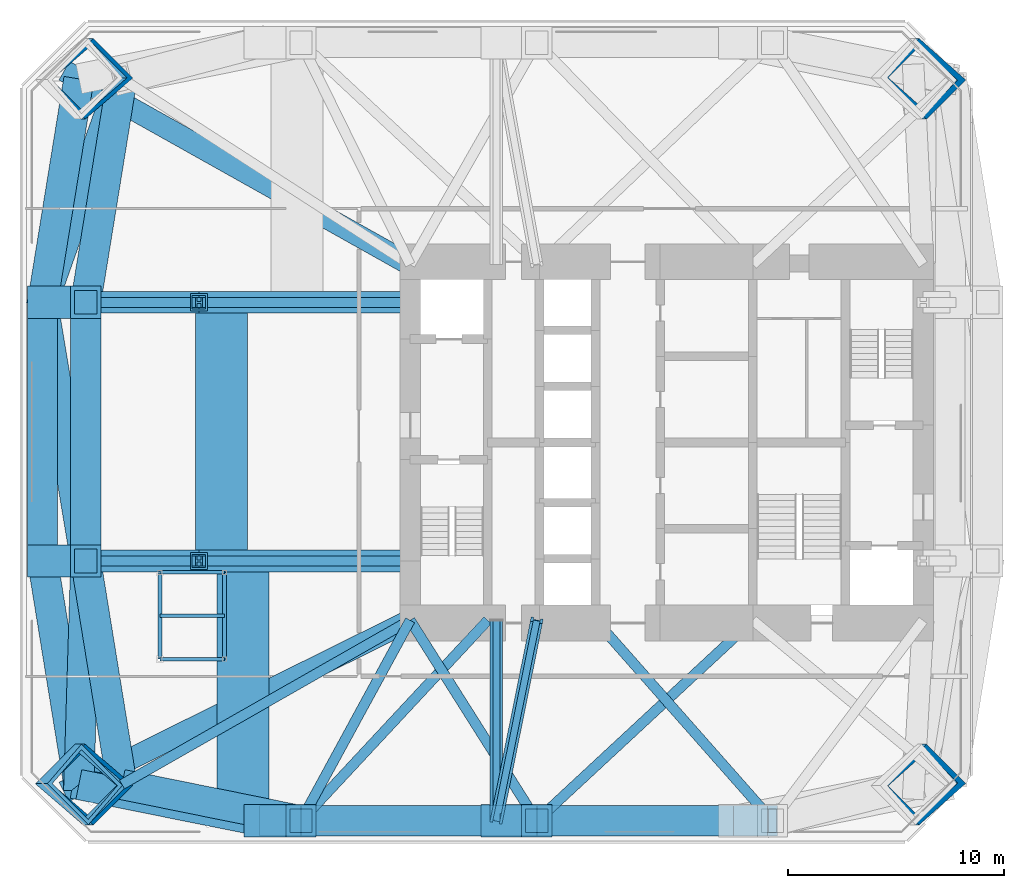
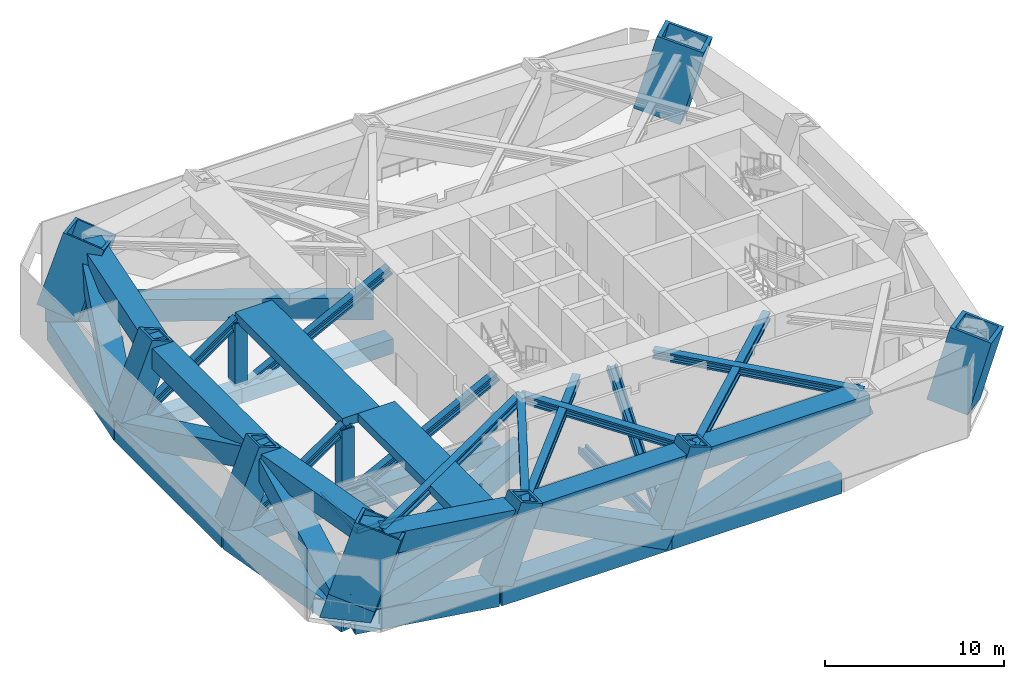
# One storey, part 1 of 8: 41 members, 9 beams, 4 columns.
"""IFC4 building model written with IfcOpenShell, lengths in metres."""

from ifc_helpers import new_model, si_unit, direction, frame, origin, origin_2d, place, context, subcontext, project, spatial, rectangle, hollow_rectangle, i_section, extrude, clip, halfspace, material, material_profile, profile_set, type_object, element, save


model = new_model("IFC4")

# Units and contexts
model_context = context("Model", 3, precision=1e-05, world=origin(), true_north=direction((0.0, 1.0)))
body_context = subcontext(model_context, "Body", "Model", "MODEL_VIEW")
ifc_project = project(units=[si_unit("LENGTHUNIT", "METRE"), si_unit("AREAUNIT", "SQUARE_METRE"), si_unit("VOLUMEUNIT", "CUBIC_METRE"), si_unit("PLANEANGLEUNIT", "RADIAN"), si_unit("MASSUNIT", "GRAM", prefix="KILO")], contexts=[model_context])

# Site, building, storey
site_placement = place(None, origin())
site = spatial("IfcSite", under=ifc_project, at=site_placement, CompositionType="ELEMENT")
building_placement = place(site_placement, origin())
building = spatial("IfcBuilding", under=site, at=building_placement, Name="Jalousie Tower", CompositionType="ELEMENT")
storey_placement = place(building_placement, frame((0.0, 0.0, 74.75)))
storey = spatial("IfcBuildingStorey", under=building, at=storey_placement, Name="L20", CompositionType="ELEMENT", Elevation=74.75)

# Columns
ifc_material_1 = material(Name="Steel EN 10025-2 S355J2 plate", Category="steel")
ifc_material_profile_1 = material_profile(ifc_material_1, hollow_rectangle(XDim=2.5, YDim=2.800048828125, WallThickness=0.175048828125, at=origin_2d()), Name="BOX 2800x2500x175")
ifc_profile_set_1 = profile_set([ifc_material_profile_1], Name="Steel EN 10025-2 S355J2 plate")
column_type_1 = type_object("IfcColumnType", Name="BUILT-UP BOX CORNER COLUMN BOX 2800x2500x175", PredefinedType="COLUMN", material=ifc_profile_set_1)
for number, where, z_axis, x_axis, name in (
    (1, (4.91015625, 2.63134765625, 0.697021484375), (0.371390676354, 0.0, 0.928476690885), (0.631748504238, 0.732827974204, -0.252699401695), "Corner column raked 01 L20"),
    (2, (4.91015625, 35.36865234375, 0.697021484375), (0.371390676354, 0.0, 0.928476690885), (0.631748504238, -0.732827974204, -0.252699401695), "Corner column raked 12 L20"),
):
    element("IfcColumn", number, at=place(storey_placement, frame(where, z_axis=z_axis, x_axis=x_axis)), inside=storey, type_object=column_type_1, Name=name, PredefinedType="COLUMN", context=body_context, shape_type="SweptSolid", body=[
        extrude(hollow_rectangle(XDim=2.5, YDim=2.800048828125, WallThickness=0.175048828125, at=origin_2d()), origin(), (0.0, 0.0, 1.0), 4.634521484375),
    ])
ifc_material_2 = material(Name="Steel EN 10025-2 S355J2 plate", Category="steel")
ifc_material_profile_2 = material_profile(ifc_material_2, hollow_rectangle(XDim=2.5, YDim=2.800048828125, WallThickness=0.25, at=origin_2d()), Name="BOX 2800x2500x250")
ifc_profile_set_2 = profile_set([ifc_material_profile_2], Name="Steel EN 10025-2 S355J2 plate")
column_type_2 = type_object("IfcColumnType", Name="BUILT-UP BOX CORNER COLUMN BOX 2800x2500x250", PredefinedType="COLUMN", material=ifc_profile_set_2)
for number, where, z_axis, x_axis, name in (
    (3, (43.58544921875, 2.63134765625, 0.61962890625), (0.330350424728, 0.0, 0.943858356366), (-0.647863070943, 0.727225506888, 0.22675207483), "Corner column raked 05 L20"),
    (4, (43.58544921875, 35.36865234375, 0.61962890625), (0.330350424728, 0.0, 0.943858356366), (-0.647863070943, -0.727225506888, 0.22675207483), "Corner column raked 08 L20"),
):
    element("IfcColumn", number, at=place(storey_placement, frame(where, z_axis=z_axis, x_axis=x_axis)), inside=storey, type_object=column_type_2, Name=name, PredefinedType="COLUMN", context=body_context, shape_type="SweptSolid", body=[
        extrude(hollow_rectangle(XDim=2.5, YDim=2.800048828125, WallThickness=0.25, at=origin_2d()), origin(), (0.0, 0.0, 1.0), 4.640869140625),
    ])

# Members
ifc_material_3 = material(Name="Steel EN 10025-2 S355J2 plate", Category="steel")
ifc_material_profile_3 = material_profile(ifc_material_3, hollow_rectangle(XDim=1.39990234375, YDim=1.39990234375, WallThickness=0.14990234375, at=origin_2d()), Name="BOX 1400x1400x150")
ifc_profile_set_3 = profile_set([ifc_material_profile_3], Name="Steel EN 10025-2 S355J2 plate")
member_type_1 = type_object("IfcMemberType", Name="BELT TRUSS CHORD BOX 1400x1400x150", PredefinedType="CHORD", material=ifc_profile_set_3)
member_1_placement = place(storey_placement, frame((4.63134765625, 2.63134765625, -0.699951171875), z_axis=(0.980407585444, -0.196979609107, 0.0), x_axis=(0.196979609107, 0.980407585444, 0.0)))
element("IfcMember", 5, at=member_1_placement, inside=storey, type_object=member_type_1, Name="Belt truss T1 01-02 chord L20", PredefinedType="CHORD", context=body_context, shape_type="SweptSolid", body=[
    extrude(hollow_rectangle(XDim=1.39990234375, YDim=1.39990234375, WallThickness=0.14990234375, at=origin_2d()), origin(), (0.0, 0.0, 1.0), 8.535888671875),
])
member_2_placement = place(storey_placement, frame((6.63134765625, 2.63134765625, 4.02001953125), z_axis=(0.980120395427, -0.198403655379, 0.0), x_axis=(0.198403655379, 0.980120395427, 0.0)))
element("IfcMember", 6, at=member_2_placement, inside=storey, type_object=member_type_1, Name="Belt truss T1 01-02 chord L21", PredefinedType="CHORD", context=body_context, shape_type="SweptSolid", body=[
    extrude(hollow_rectangle(XDim=1.39990234375, YDim=1.39990234375, WallThickness=0.14990234375, at=origin_2d()), origin(), (0.0, 0.0, 1.0), 8.474609375),
])
member_3_placement = place(storey_placement, frame((13.0, 0.949951171875, -0.699951171875), z_axis=(1.0, 0.0, 0.0), x_axis=(0.0, 1.0, 0.0)))
element("IfcMember", 7, at=member_3_placement, inside=storey, type_object=member_type_1, Name="Belt truss T1 02-03 chord L20", PredefinedType="CHORD", context=body_context, shape_type="SweptSolid", body=[
    extrude(hollow_rectangle(XDim=1.39990234375, YDim=1.39990234375, WallThickness=0.14990234375, at=origin_2d()), origin(), (0.0, 0.0, 1.0), 11.0),
])
member_4_placement = place(storey_placement, frame((14.9375, 0.949951171875, 4.02001953125), z_axis=(1.0, 0.0, 0.0), x_axis=(0.0, 1.0, 0.0)))
element("IfcMember", 8, at=member_4_placement, inside=storey, type_object=member_type_1, Name="Belt truss T1 02-03 chord L21", PredefinedType="CHORD", context=body_context, shape_type="SweptSolid", body=[
    extrude(hollow_rectangle(XDim=1.39990234375, YDim=1.39990234375, WallThickness=0.14990234375, at=origin_2d()), origin(), (0.0, 0.0, 1.0), 10.9375),
])
member_5_placement = place(storey_placement, frame((24.0, 0.949951171875, -0.699951171875), z_axis=(1.0, 0.0, 0.0), x_axis=(0.0, 1.0, 0.0)))
element("IfcMember", 9, at=member_5_placement, inside=storey, type_object=member_type_1, Name="Belt truss T1 03-04 chord L20", PredefinedType="CHORD", context=body_context, shape_type="SweptSolid", body=[
    extrude(hollow_rectangle(XDim=1.39990234375, YDim=1.39990234375, WallThickness=0.14990234375, at=origin_2d()), origin(), (0.0, 0.0, 1.0), 11.0),
])
member_6_placement = place(storey_placement, frame((25.875, 0.949951171875, 4.02001953125), z_axis=(1.0, 0.0, 0.0), x_axis=(0.0, 1.0, 0.0)))
element("IfcMember", 10, at=member_6_placement, inside=storey, type_object=member_type_1, Name="Belt truss T1 03-04 chord L21", PredefinedType="CHORD", context=body_context, shape_type="SweptSolid", body=[
    extrude(hollow_rectangle(XDim=1.39990234375, YDim=1.39990234375, WallThickness=0.14990234375, at=origin_2d()), origin(), (0.0, 0.0, 1.0), 10.9375),
])
for number, where, z_axis, x_axis, name in (
    (11, (4.63134765625, 35.36865234375, -0.699951171875), (-0.160070546476, -0.987105577003, 0.0), (0.987105577003, -0.160070546476, 0.0), "Belt truss T1 12-13 chord L20"),
    (12, (6.63134765625, 35.36865234375, 4.02001953125), (-0.160070546476, -0.987105577003, 0.0), (0.987105577003, -0.160070546476, 0.0), "Belt truss T1 12-13 chord L21"),
):
    element("IfcMember", number, at=place(storey_placement, frame(where, z_axis=z_axis, x_axis=x_axis)), inside=storey, type_object=member_type_1, Name=name, PredefinedType="CHORD", context=body_context, shape_type="SweptSolid", body=[
        extrude(hollow_rectangle(XDim=1.39990234375, YDim=1.39990234375, WallThickness=0.14990234375, at=origin_2d()), origin(), (0.0, 0.0, 1.0), 10.504150390625),
    ])
for number, where, z_axis, x_axis, name in (
    (13, (2.949951171875, 25.0, -0.699951171875), (0.0, -1.0, 0.0), (1.0, 0.0, 0.0), "Belt truss T1 13-14 chord L20"),
    (14, (4.949951171875, 25.0, 4.02001953125), (0.0, -1.0, 0.0), (1.0, 0.0, 0.0), "Belt truss T1 13-14 chord L21"),
):
    element("IfcMember", number, at=place(storey_placement, frame(where, z_axis=z_axis, x_axis=x_axis)), inside=storey, type_object=member_type_1, Name=name, PredefinedType="CHORD", context=body_context, shape_type="SweptSolid", body=[
        extrude(hollow_rectangle(XDim=1.39990234375, YDim=1.39990234375, WallThickness=0.14990234375, at=origin_2d()), origin(), (0.0, 0.0, 1.0), 12.0),
    ])
for number, where, z_axis, x_axis, name in (
    (15, (2.949951171875, 13.0, -0.699951171875), (0.160070546476, -0.987105577003, 0.0), (0.987105577003, 0.160070546476, 0.0), "Belt truss T1 14-01 chord L20"),
    (16, (4.949951171875, 13.0, 4.02001953125), (0.160070546476, -0.987105577003, 0.0), (0.987105577003, 0.160070546476, 0.0), "Belt truss T1 14-01 chord L21"),
):
    element("IfcMember", number, at=place(storey_placement, frame(where, z_axis=z_axis, x_axis=x_axis)), inside=storey, type_object=member_type_1, Name=name, PredefinedType="CHORD", context=body_context, shape_type="SweptSolid", body=[
        extrude(hollow_rectangle(XDim=1.39990234375, YDim=1.39990234375, WallThickness=0.14990234375, at=origin_2d()), origin(), (0.0, 0.0, 1.0), 10.504150390625),
    ])
ifc_material_4 = material(Name="Steel EN 10025-2 S355J2 plate", Category="steel")
ifc_material_profile_4 = material_profile(ifc_material_4, hollow_rectangle(XDim=1.39990234375, YDim=1.39990234375, WallThickness=0.14990234375, at=origin_2d()), Name="BOX 1400x1400x150")
ifc_profile_set_4 = profile_set([ifc_material_profile_4], Name="Steel EN 10025-2 S355J2 plate")
member_type_2 = type_object("IfcMemberType", Name="BELT TRUSS DIAGONAL BOX 1400x1400x150", PredefinedType="BRACE", material=ifc_profile_set_4)
member_7_placement = place(storey_placement, frame((4.63134765625, 2.63134765625, -0.699951171875), z_axis=(0.899348105394, -0.146724082102, 0.411879872118), x_axis=(0.161016175263, 0.986951767466, 0.0)))
element("IfcMember", 17, at=member_7_placement, inside=storey, type_object=member_type_2, Name="Belt truss T1 01-02 diagonal L20", PredefinedType="BRACE", context=body_context, shape_type="SweptSolid", body=[
    extrude(hollow_rectangle(XDim=1.39990234375, YDim=1.39990234375, WallThickness=0.14990234375, at=origin_2d()), origin(), (0.0, 0.0, 1.0), 11.45947265625),
])
member_8_placement = place(storey_placement, frame((14.9375, 0.949951171875, 4.02001953125), z_axis=(0.886917347135, 0.0, -0.461928153884), x_axis=(0.0, 1.0, 0.0)))
element("IfcMember", 18, at=member_8_placement, inside=storey, type_object=member_type_2, Name="Belt truss T1 02-03 diagonal L20", PredefinedType="BRACE", context=body_context, shape_type="SweptSolid", body=[
    extrude(hollow_rectangle(XDim=1.39990234375, YDim=1.39990234375, WallThickness=0.14990234375, at=origin_2d()), origin(), (0.0, 0.0, 1.0), 10.218017578125),
])
member_9_placement = place(storey_placement, frame((24.0, 0.949951171875, -0.699951171875), z_axis=(0.938353190388, 0.0, 0.345678015049), x_axis=(0.0, 1.0, 0.0)))
element("IfcMember", 19, at=member_9_placement, inside=storey, type_object=member_type_2, Name="Belt truss T1 03-04 diagonal L20", PredefinedType="BRACE", context=body_context, shape_type="SweptSolid", body=[
    extrude(hollow_rectangle(XDim=1.39990234375, YDim=1.39990234375, WallThickness=0.14990234375, at=origin_2d()), origin(), (0.0, 0.0, 1.0), 13.654296875),
])
member_10_placement = place(storey_placement, frame((6.63134765625, 35.36865234375, 4.02001953125), z_axis=(-0.307488773664, -0.866042059653, -0.394235722611), x_axis=(0.942364791735, -0.334587207313, 0.0)))
element("IfcMember", 20, at=member_10_placement, inside=storey, type_object=member_type_2, Name="Belt truss T1 12-13 diagonal L20", PredefinedType="BRACE", context=body_context, shape_type="SweptSolid", body=[
    extrude(hollow_rectangle(XDim=1.39990234375, YDim=1.39990234375, WallThickness=0.14990234375, at=origin_2d()), origin(), (0.0, 0.0, 1.0), 11.972412109375),
])
member_11_placement = place(storey_placement, frame((2.949951171875, 25.0, -0.699951171875), z_axis=(0.153267674499, -0.919606046992, 0.361709466685), x_axis=(0.986393923832, 0.164398987305, 0.0)))
element("IfcMember", 21, at=member_11_placement, inside=storey, type_object=member_type_2, Name="Belt truss T1 13-14 diagonal L20", PredefinedType="BRACE", context=body_context, shape_type="SweptSolid", body=[
    extrude(hollow_rectangle(XDim=1.39990234375, YDim=1.39990234375, WallThickness=0.14990234375, at=origin_2d()), origin(), (0.0, 0.0, 1.0), 13.049072265625),
])
member_12_placement = place(storey_placement, frame((4.949951171875, 13.0, 4.02001953125), z_axis=(-0.027955359021, -0.909780917712, -0.414146326398), x_axis=(0.99952824219, -0.030713076432, 0.0)))
element("IfcMember", 22, at=member_12_placement, inside=storey, type_object=member_type_2, Name="Belt truss T1 14-01 diagonal L20", PredefinedType="BRACE", context=body_context, shape_type="SweptSolid", body=[
    extrude(hollow_rectangle(XDim=1.39990234375, YDim=1.39990234375, WallThickness=0.14990234375, at=origin_2d()), origin(), (0.0, 0.0, 1.0), 11.39697265625),
])

# Beams
ifc_material_5 = material(Name="Steel ASTM A572 Grade 50 plate", Category="steel")
ifc_material_profile_5 = material_profile(ifc_material_5, hollow_rectangle(XDim=1.0, YDim=1.5, WallThickness=0.10009765625, at=origin_2d()), Name="BOX 1500x1000x100")
ifc_profile_set_5 = profile_set([ifc_material_profile_5], Name="Steel ASTM A572 Grade 50 plate")
beam_type_1 = type_object("IfcBeamType", Name="KINK COLLECTOR BOX 1500x1000x100", PredefinedType="BEAM", material=ifc_profile_set_5)
beam_1_placement = place(storey_placement, frame((3.934814453125, 2.2861328125, 0.75), z_axis=(0.895955064937, 0.444144707965, 0.0), x_axis=(-0.444144707965, 0.895955064937, 0.0)))
element("IfcBeam", 23, at=beam_1_placement, inside=storey, type_object=beam_type_1, Name="Kink collector 01 L20", PredefinedType="BEAM", context=body_context, shape_type="SweptSolid", body=[
    extrude(hollow_rectangle(XDim=1.0, YDim=1.5, WallThickness=0.10009765625, at=origin_2d()), origin(), (0.0, 0.0, 1.0), 17.930908203125),
])
beam_2_placement = place(storey_placement, frame((3.953125, 35.748779296875, 0.75), z_axis=(0.872215536588, -0.489121720775, 0.0), x_axis=(0.489121720775, 0.872215536588, 0.0)))
element("IfcBeam", 24, at=beam_2_placement, inside=storey, type_object=beam_type_1, Name="Kink collector 12 L20", PredefinedType="BEAM", context=body_context, shape_type="SweptSolid", body=[
    extrude(hollow_rectangle(XDim=1.0, YDim=1.5, WallThickness=0.10009765625, at=origin_2d()), origin(), (0.0, 0.0, 1.0), 18.39794921875),
])

# Members
ifc_material_6 = material(Name="Steel ASTM A992 Grade 50", Category="steel")
ifc_material_profile_6 = material_profile(ifc_material_6, i_section(OverallWidth=0.472412109375, OverallDepth=0.5791015625, WebThickness=0.094970703125, FlangeThickness=0.1298828125, at=origin_2d()), Name="W14X808")
ifc_profile_set_6 = profile_set([ifc_material_profile_6], Name="Steel ASTM A992 Grade 50")
member_type_3 = type_object("IfcMemberType", Name="KINK FLOOR TRUSS DIAGONAL W14X808", PredefinedType="BRACE", material=ifc_profile_set_6)
member_13_placement = place(storey_placement, frame((6.63134765625, 2.63134765625, 4.430419921875), z_axis=(0.86881863339, 0.495130469951, 0.0), x_axis=(-0.495130469951, 0.86881863339, 0.0)))
element("IfcMember", 25, at=member_13_placement, inside=storey, type_object=member_type_3, Name="Kink floor truss L21 01 diagonal", PredefinedType="BRACE", context=body_context, shape_type="SweptSolid", body=[
    extrude(i_section(OverallWidth=0.472412109375, OverallDepth=0.5791015625, WebThickness=0.094970703125, FlangeThickness=0.1298828125, at=origin_2d()), origin(), (0.0, 0.0, 1.0), 15.38720703125),
])
member_14_placement = place(storey_placement, frame((14.9375, 0.949951171875, 4.430419921875), z_axis=(0.478105622524, 0.87830234755, 0.0), x_axis=(-0.87830234755, 0.478105622524, 0.0)))
element("IfcMember", 26, at=member_14_placement, inside=storey, type_object=member_type_3, Name="Kink floor truss L21 02 diagonal", PredefinedType="BRACE", context=body_context, shape_type="SweptSolid", body=[
    extrude(i_section(OverallWidth=0.472412109375, OverallDepth=0.5791015625, WebThickness=0.094970703125, FlangeThickness=0.1298828125, at=origin_2d()), origin(), (0.0, 0.0, 1.0), 10.588623046875),
])
member_15_placement = place(storey_placement, frame((14.9375, 0.949951171875, 4.430419921875), z_axis=(0.681584212038, 0.731739681787, 0.0), x_axis=(-0.731739681787, 0.681584212038, 0.0)))
element("IfcMember", 27, at=member_15_placement, inside=storey, type_object=member_type_3, Name="Kink floor truss L21 02 diagonal", PredefinedType="BRACE", context=body_context, shape_type="SweptSolid", body=[
    extrude(i_section(OverallWidth=0.472412109375, OverallDepth=0.5791015625, WebThickness=0.094970703125, FlangeThickness=0.1298828125, at=origin_2d()), origin(), (0.0, 0.0, 1.0), 12.70947265625),
])
member_16_placement = place(storey_placement, frame((25.875, 0.949951171875, 4.430419921875), z_axis=(-0.534076490974, 0.845436160682, 0.0), x_axis=(-0.845436160682, -0.534076490974, 0.0)))
element("IfcMember", 28, at=member_16_placement, inside=storey, type_object=member_type_3, Name="Kink floor truss L21 03 diagonal", PredefinedType="BRACE", context=body_context, shape_type="SweptSolid", body=[
    extrude(i_section(OverallWidth=0.472412109375, OverallDepth=0.5791015625, WebThickness=0.094970703125, FlangeThickness=0.1298828125, at=origin_2d()), origin(), (0.0, 0.0, 1.0), 11.000244140625),
])
member_17_placement = place(storey_placement, frame((25.875, 0.949951171875, 4.430419921875), z_axis=(0.733113898794, 0.680105882489, 0.0), x_axis=(-0.680105882489, 0.733113898794, 0.0)))
element("IfcMember", 29, at=member_17_placement, inside=storey, type_object=member_type_3, Name="Kink floor truss L21 03 diagonal", PredefinedType="BRACE", context=body_context, shape_type="SweptSolid", body=[
    extrude(i_section(OverallWidth=0.472412109375, OverallDepth=0.5791015625, WebThickness=0.094970703125, FlangeThickness=0.1298828125, at=origin_2d()), origin(), (0.0, 0.0, 1.0), 13.67431640625),
])
member_18_placement = place(storey_placement, frame((36.8125, 0.949951171875, 4.430419921875), z_axis=(-0.661915104215, 0.749578811608, 0.0), x_axis=(-0.749578811608, -0.661915104215, 0.0)))
element("IfcMember", 30, at=member_18_placement, inside=storey, type_object=member_type_3, Name="Kink floor truss L21 04 diagonal", PredefinedType="BRACE", context=body_context, shape_type="SweptSolid", body=[
    extrude(i_section(OverallWidth=0.472412109375, OverallDepth=0.5791015625, WebThickness=0.094970703125, FlangeThickness=0.1298828125, at=origin_2d()), origin(), (0.0, 0.0, 1.0), 12.406982421875),
])
ifc_material_7 = material(Name="Steel EN 10025-2 S355J2 plate", Category="steel")
ifc_material_profile_7 = material_profile(ifc_material_7, hollow_rectangle(XDim=2.5, YDim=2.800048828125, WallThickness=0.175048828125, at=origin_2d()), Name="BOX 2800x2500x175")
ifc_profile_set_7 = profile_set([ifc_material_profile_7], Name="Steel EN 10025-2 S355J2 plate")
member_type_4 = type_object("IfcMemberType", Name="KINK NODE BOX 2800x2500x175", PredefinedType="MEMBER", material=ifc_profile_set_7)
member_19_placement = place(storey_placement, frame((4.3525390625, 2.63134765625, -0.697021484375), z_axis=(0.371390676354, 0.0, 0.928476690885), x_axis=(0.631748504238, 0.732827974204, -0.252699401695)))
element("IfcMember", 31, at=member_19_placement, inside=storey, type_object=member_type_4, Name="Kink node of corner column 01 at +74.750", PredefinedType="MEMBER", context=body_context, shape_type="Clipping", body=[
    clip(extrude(hollow_rectangle(XDim=2.5, YDim=2.800048828125, WallThickness=0.175048828125, at=origin_2d()), origin(), (0.0, 0.0, 1.0), 1.50146484375), halfspace(frame((0.0, 0.0, 0.750732421875), z_axis=(-0.252699401695, 0.272165476991, 0.928476690885)), True)),
])
ifc_material_8 = material(Name="Steel ASTM A992 Grade 50", Category="steel")
ifc_material_profile_8 = material_profile(ifc_material_8, i_section(OverallWidth=0.472412109375, OverallDepth=0.5791015625, WebThickness=0.094970703125, FlangeThickness=0.1298828125, at=origin_2d()), Name="W14X808")
ifc_profile_set_8 = profile_set([ifc_material_profile_8], Name="Steel ASTM A992 Grade 50")
member_type_5 = type_object("IfcMemberType", Name="NORTH-SOUTH OUTRIGGER CHORD W14X808", PredefinedType="CHORD", material=ifc_profile_set_8)
member_20_placement = place(storey_placement, frame((24.0, 0.949951171875, -0.569580078125), z_axis=(0.0, 1.0, 0.0), x_axis=(0.0, 0.0, 1.0)))
element("IfcMember", 32, at=member_20_placement, inside=storey, type_object=member_type_5, Name="Outrigger T1 S03 chord L20", PredefinedType="CHORD", context=body_context, shape_type="SweptSolid", body=[
    extrude(i_section(OverallWidth=0.472412109375, OverallDepth=0.5791015625, WebThickness=0.094970703125, FlangeThickness=0.1298828125, at=origin_2d()), origin(), (0.0, 0.0, 1.0), 9.300048828125),
])
ifc_material_9 = material(Name="Steel ASTM A992 Grade 50", Category="steel")
ifc_material_profile_9 = material_profile(ifc_material_9, i_section(OverallWidth=0.45458984375, OverallDepth=0.569091796875, WebThickness=0.077880859375, FlangeThickness=0.124755859375, at=origin_2d()), Name="W14X730")
ifc_profile_set_9 = profile_set([ifc_material_profile_9], Name="Steel ASTM A992 Grade 50")
member_type_6 = type_object("IfcMemberType", Name="NORTH-SOUTH OUTRIGGER DIAGONAL W14X730", PredefinedType="BRACE", material=ifc_profile_set_9)
member_21_placement = place(storey_placement, frame((24.0, 0.949951171875, -0.569580078125), z_axis=(0.174839685252, 0.867209391967, 0.466239160672), x_axis=(-0.092145260725, -0.457042892812, 0.884658716713)))
element("IfcMember", 33, at=member_21_placement, inside=storey, type_object=member_type_6, Name="Outrigger T1 S03 diagonal L20", PredefinedType="BRACE", context=body_context, shape_type="SweptSolid", body=[
    extrude(i_section(OverallWidth=0.45458984375, OverallDepth=0.569091796875, WebThickness=0.077880859375, FlangeThickness=0.124755859375, at=origin_2d()), origin(), (0.0, 0.0, 1.0), 10.72412109375),
])
ifc_material_10 = material(Name="Steel EN 10025-2 S355J2 plate", Category="steel")
ifc_material_profile_10 = material_profile(ifc_material_10, hollow_rectangle(XDim=1.0, YDim=1.0, WallThickness=0.199951171875, at=origin_2d()), Name="BOX 1000x1000x200")
ifc_profile_set_10 = profile_set([ifc_material_profile_10], Name="Steel EN 10025-2 S355J2 plate")
member_type_7 = type_object("IfcMemberType", Name="OUTRIGGER CHORD BOX 1000x1000x200", PredefinedType="CHORD", material=ifc_profile_set_10)
member_22_placement = place(storey_placement, frame((2.949951171875, 13.0, -0.780029296875), z_axis=(1.0, 0.0, 0.0), x_axis=(0.0, 1.0, 0.0)))
element("IfcMember", 34, at=member_22_placement, inside=storey, type_object=member_type_7, Name="Outrigger T1 west arm at column 14 chord L20", PredefinedType="CHORD", context=body_context, shape_type="SweptSolid", body=[
    extrude(hollow_rectangle(XDim=1.0, YDim=1.0, WallThickness=0.199951171875, at=origin_2d()), origin(), (0.0, 0.0, 1.0), 7.25),
])
member_23_placement = place(storey_placement, frame((10.199951171875, 13.0, -0.780029296875), z_axis=(1.0, 0.0, 0.0), x_axis=(0.0, 1.0, 0.0)))
element("IfcMember", 35, at=member_23_placement, inside=storey, type_object=member_type_7, Name="Outrigger T1 west arm at column 14 chord L20", PredefinedType="CHORD", context=body_context, shape_type="SweptSolid", body=[
    extrude(hollow_rectangle(XDim=1.0, YDim=1.0, WallThickness=0.199951171875, at=origin_2d()), origin(), (0.0, 0.0, 1.0), 9.800048828125),
])
member_24_placement = place(storey_placement, frame((2.949951171875, 25.0, -0.780029296875), z_axis=(1.0, 0.0, 0.0), x_axis=(0.0, 1.0, 0.0)))
element("IfcMember", 36, at=member_24_placement, inside=storey, type_object=member_type_7, Name="Outrigger T1 west arm at column 13 chord L20", PredefinedType="CHORD", context=body_context, shape_type="SweptSolid", body=[
    extrude(hollow_rectangle(XDim=1.0, YDim=1.0, WallThickness=0.199951171875, at=origin_2d()), origin(), (0.0, 0.0, 1.0), 7.25),
])
member_25_placement = place(storey_placement, frame((10.199951171875, 25.0, -0.780029296875), z_axis=(1.0, 0.0, 0.0), x_axis=(0.0, 1.0, 0.0)))
element("IfcMember", 37, at=member_25_placement, inside=storey, type_object=member_type_7, Name="Outrigger T1 west arm at column 13 chord L20", PredefinedType="CHORD", context=body_context, shape_type="SweptSolid", body=[
    extrude(hollow_rectangle(XDim=1.0, YDim=1.0, WallThickness=0.199951171875, at=origin_2d()), origin(), (0.0, 0.0, 1.0), 9.800048828125),
])
ifc_material_11 = material(Name="Steel ASTM A992 Grade 50", Category="steel")
ifc_material_profile_11 = material_profile(ifc_material_11, i_section(OverallWidth=0.472412109375, OverallDepth=0.5791015625, WebThickness=0.094970703125, FlangeThickness=0.1298828125, at=origin_2d()), Name="W14X808")
ifc_profile_set_11 = profile_set([ifc_material_profile_11], Name="Steel ASTM A992 Grade 50")
member_type_8 = type_object("IfcMemberType", Name="OUTRIGGER DIAGONAL W14X808", PredefinedType="BRACE", material=ifc_profile_set_11)
member_26_placement = place(storey_placement, frame((2.949951171875, 13.0, -0.780029296875), z_axis=(0.823212785915, 0.0, 0.567732955804), x_axis=(0.0, 1.0, 0.0)))
element("IfcMember", 38, at=member_26_placement, inside=storey, type_object=member_type_8, Name="Outrigger T1 west arm at column 14 diagonal L20", PredefinedType="BRACE", context=body_context, shape_type="SweptSolid", body=[
    extrude(i_section(OverallWidth=0.472412109375, OverallDepth=0.5791015625, WebThickness=0.094970703125, FlangeThickness=0.1298828125, at=origin_2d()), origin(), (0.0, 0.0, 1.0), 8.806884765625),
])
member_27_placement = place(storey_placement, frame((10.199951171875, 13.0, -0.780029296875), z_axis=(0.890762786381, 0.0, 0.454468545006), x_axis=(0.0, 1.0, 0.0)))
element("IfcMember", 39, at=member_27_placement, inside=storey, type_object=member_type_8, Name="Outrigger T1 west arm at column 14 diagonal L20", PredefinedType="BRACE", context=body_context, shape_type="SweptSolid", body=[
    extrude(i_section(OverallWidth=0.472412109375, OverallDepth=0.5791015625, WebThickness=0.094970703125, FlangeThickness=0.1298828125, at=origin_2d()), origin(), (0.0, 0.0, 1.0), 11.001953125),
])
member_28_placement = place(storey_placement, frame((2.949951171875, 25.0, -0.780029296875), z_axis=(0.823212785915, 0.0, 0.567732955804), x_axis=(0.0, 1.0, 0.0)))
element("IfcMember", 40, at=member_28_placement, inside=storey, type_object=member_type_8, Name="Outrigger T1 west arm at column 13 diagonal L20", PredefinedType="BRACE", context=body_context, shape_type="SweptSolid", body=[
    extrude(i_section(OverallWidth=0.472412109375, OverallDepth=0.5791015625, WebThickness=0.094970703125, FlangeThickness=0.1298828125, at=origin_2d()), origin(), (0.0, 0.0, 1.0), 8.806884765625),
])
member_29_placement = place(storey_placement, frame((10.199951171875, 25.0, -0.780029296875), z_axis=(0.890762786381, 0.0, 0.454468545006), x_axis=(0.0, 1.0, 0.0)))
element("IfcMember", 41, at=member_29_placement, inside=storey, type_object=member_type_8, Name="Outrigger T1 west arm at column 13 diagonal L20", PredefinedType="BRACE", context=body_context, shape_type="SweptSolid", body=[
    extrude(i_section(OverallWidth=0.472412109375, OverallDepth=0.5791015625, WebThickness=0.094970703125, FlangeThickness=0.1298828125, at=origin_2d()), origin(), (0.0, 0.0, 1.0), 11.001953125),
])
ifc_material_12 = material(Name="Steel ASTM A572 Grade 50 plate", Category="steel")
ifc_material_profile_12 = material_profile(ifc_material_12, hollow_rectangle(XDim=0.800048828125, YDim=0.800048828125, WallThickness=0.090087890625, at=origin_2d()), Name="BOX 800x800x90")
ifc_profile_set_12 = profile_set([ifc_material_profile_12], Name="Steel ASTM A572 Grade 50 plate")
member_type_9 = type_object("IfcMemberType", Name="OUTRIGGER POST BOX 800x800x90", PredefinedType="POST", material=ifc_profile_set_12)
for number, where, z_axis, x_axis, name in (
    (42, (10.199951171875, 13.0, 0.0), (0.0, 0.0, 1.0), (1.0, 0.0, 0.0), "Outrigger T1 west arm at column 14 post L20"),
    (43, (10.199951171875, 25.0, 0.0), (0.0, 0.0, 1.0), (1.0, 0.0, 0.0), "Outrigger T1 west arm at column 13 post L20"),
):
    element("IfcMember", number, at=place(storey_placement, frame(where, z_axis=z_axis, x_axis=x_axis)), inside=storey, type_object=member_type_9, Name=name, PredefinedType="POST", context=body_context, shape_type="SweptSolid", body=[
        extrude(hollow_rectangle(XDim=0.800048828125, YDim=0.800048828125, WallThickness=0.090087890625, at=origin_2d()), origin(), (0.0, 0.0, 1.0), 4.219970703125),
    ])

# Beams
ifc_material_13 = material(Name="Steel ASTM A992 Grade 50", Category="steel")
ifc_material_profile_13 = material_profile(ifc_material_13, i_section(OverallWidth=0.164794921875, OverallDepth=0.309814453125, WebThickness=0.005859375, FlangeThickness=0.009765625, at=origin_2d()), Name="W12X26")
ifc_profile_set_13 = profile_set([ifc_material_profile_13], Name="Steel ASTM A992 Grade 50")
beam_type_2 = type_object("IfcBeamType", Name="PLANT SUPPORT BEAM W12X26", PredefinedType="BEAM", material=ifc_profile_set_13)
for number, where, z_axis, x_axis, name in (
    (44, (8.387451171875, 8.449951171875, 0.35498046875), (1.0, 0.0, 0.0), (0.0, 1.0, 0.0), "Plant support cross beam Electrical plant room L20"),
    (45, (8.387451171875, 10.4599609375, 0.35498046875), (1.0, 0.0, 0.0), (0.0, 1.0, 0.0), "Plant support cross beam Electrical plant room L20"),
    (46, (8.387451171875, 12.469970703125, 0.35498046875), (1.0, 0.0, 0.0), (0.0, 1.0, 0.0), "Plant support cross beam Electrical plant room L20"),
):
    element("IfcBeam", number, at=place(storey_placement, frame(where, z_axis=z_axis, x_axis=x_axis)), inside=storey, type_object=beam_type_2, Name=name, PredefinedType="BEAM", context=body_context, shape_type="SweptSolid", body=[
        extrude(i_section(OverallWidth=0.164794921875, OverallDepth=0.309814453125, WebThickness=0.005859375, FlangeThickness=0.009765625, at=origin_2d()), origin(), (0.0, 0.0, 1.0), 3.0),
    ])
ifc_material_14 = material(Name="Steel ASTM A992 Grade 50", Category="steel")
ifc_material_profile_14 = material_profile(ifc_material_14, i_section(OverallWidth=0.177734375, OverallDepth=0.406494140625, WebThickness=0.0078125, FlangeThickness=0.0126953125, at=origin_2d()), Name="W16X40")
ifc_profile_set_14 = profile_set([ifc_material_profile_14], Name="Steel ASTM A992 Grade 50")
beam_type_3 = type_object("IfcBeamType", Name="PLANT SUPPORT BEAM W16X40", PredefinedType="BEAM", material=ifc_profile_set_14)
for number, where, z_axis, x_axis, name in (
    (47, (8.387451171875, 8.449951171875, 0.4033203125), (0.0, 1.0, 0.0), (-1.0, 0.0, 0.0), "Plant support runner Electrical plant room L20"),
    (48, (11.387451171875, 8.449951171875, 0.4033203125), (0.0, 1.0, 0.0), (-1.0, 0.0, 0.0), "Plant support runner Electrical plant room L20"),
):
    element("IfcBeam", number, at=place(storey_placement, frame(where, z_axis=z_axis, x_axis=x_axis)), inside=storey, type_object=beam_type_3, Name=name, PredefinedType="BEAM", context=body_context, shape_type="SweptSolid", body=[
        extrude(i_section(OverallWidth=0.177734375, OverallDepth=0.406494140625, WebThickness=0.0078125, FlangeThickness=0.0126953125, at=origin_2d()), origin(), (0.0, 0.0, 1.0), 4.02001953125),
    ])
ifc_material_15 = material(Name="Concrete f'c 40 MPa", Category="concrete")
ifc_material_profile_15 = material_profile(ifc_material_15, rectangle(XDim=2.39990234375, YDim=0.60009765625, at=origin_2d()), Name="RC 2400x600")
ifc_profile_set_15 = profile_set([ifc_material_profile_15], Name="Concrete f'c 40 MPa")
beam_type_4 = type_object("IfcBeamType", Name="RC BEAM 2400x600", PredefinedType="BEAM", material=ifc_profile_set_15)
beam_3_placement = place(storey_placement, frame((11.25, 13.0, 4.419921875), z_axis=(0.0, 1.0, 0.0), x_axis=(-1.0, 0.0, 0.0)))
element("IfcBeam", 49, at=beam_3_placement, inside=storey, type_object=beam_type_4, Name="Floor band beam under L21", PredefinedType="BEAM", context=body_context, shape_type="SweptSolid", body=[
    extrude(rectangle(XDim=2.39990234375, YDim=0.60009765625, at=origin_2d()), origin(), (0.0, 0.0, 1.0), 12.0),
])
beam_4_placement = place(storey_placement, frame((12.25, 1.493896484375, 4.419921875), z_axis=(0.0, 1.0, 0.0), x_axis=(-1.0, 0.0, 0.0)))
element("IfcBeam", 50, at=beam_4_placement, inside=storey, type_object=beam_type_4, Name="Floor band beam under L21", PredefinedType="BEAM", context=body_context, shape_type="SweptSolid", body=[
    extrude(rectangle(XDim=2.39990234375, YDim=0.60009765625, at=origin_2d()), origin(), (0.0, 0.0, 1.0), 11.506103515625),
])

# Members
ifc_material_16 = material(Name="Steel EN 10025-2 S355J2 plate", Category="steel")
ifc_material_profile_16 = material_profile(ifc_material_16, hollow_rectangle(XDim=1.5, YDim=1.5, WallThickness=0.199951171875, at=origin_2d()), Name="BOX 1500x1500x200")
ifc_profile_set_16 = profile_set([ifc_material_profile_16], Name="Steel EN 10025-2 S355J2 plate")
member_type_10 = type_object("IfcMemberType", Name="TRANSFER TRUSS STRUT BOX 1500x1500x200", PredefinedType="STRUT", material=ifc_profile_set_16)
member_30_placement = place(storey_placement, frame((13.0, 0.949951171875, 0.0), z_axis=(0.361321067759, 0.0, 0.932441465184), x_axis=(0.0, 1.0, 0.0)))
element("IfcMember", 51, at=member_30_placement, inside=storey, type_object=member_type_10, Name="Transfer truss T1 strut 02 L20", PredefinedType="STRUT", context=body_context, shape_type="SweptSolid", body=[
    extrude(hollow_rectangle(XDim=1.5, YDim=1.5, WallThickness=0.199951171875, at=origin_2d()), origin(), (0.0, 0.0, 1.0), 5.3623046875),
])
member_31_placement = place(storey_placement, frame((24.0, 0.949951171875, 0.0), z_axis=(0.351123441588, 0.0, 0.936329177569), x_axis=(0.0, 1.0, 0.0)))
element("IfcMember", 52, at=member_31_placement, inside=storey, type_object=member_type_10, Name="Transfer truss T1 strut 03 L20", PredefinedType="STRUT", context=body_context, shape_type="SweptSolid", body=[
    extrude(hollow_rectangle(XDim=1.5, YDim=1.5, WallThickness=0.199951171875, at=origin_2d()), origin(), (0.0, 0.0, 1.0), 5.340087890625),
])
for number, where, z_axis, x_axis, name in (
    (53, (2.949951171875, 25.0, 0.0), (0.371390676354, 0.0, 0.928476690885), (0.0, 1.0, 0.0), "Transfer truss T1 strut 13 L20"),
    (54, (2.949951171875, 13.0, 0.0), (0.371390676354, 0.0, 0.928476690885), (0.0, 1.0, 0.0), "Transfer truss T1 strut 14 L20"),
):
    element("IfcMember", number, at=place(storey_placement, frame(where, z_axis=z_axis, x_axis=x_axis)), inside=storey, type_object=member_type_10, Name=name, PredefinedType="STRUT", context=body_context, shape_type="SweptSolid", body=[
        extrude(hollow_rectangle(XDim=1.5, YDim=1.5, WallThickness=0.199951171875, at=origin_2d()), origin(), (0.0, 0.0, 1.0), 5.38525390625),
    ])

save(model, "model.ifc")
